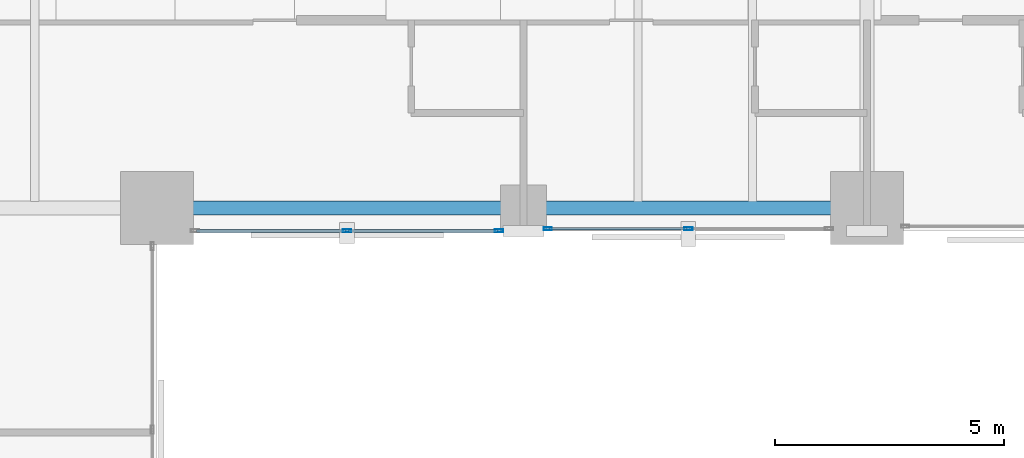
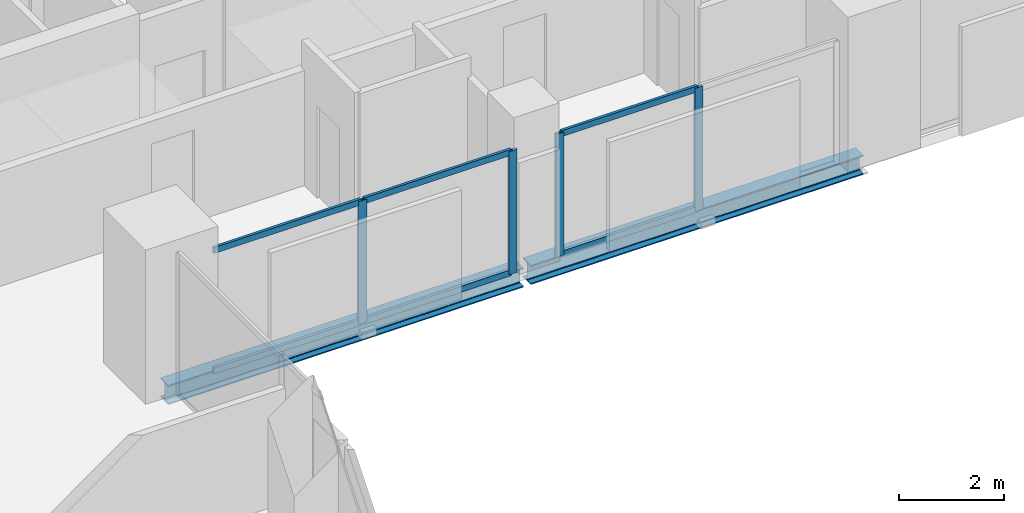
# One storey, part 13 of 31: 10 members, 2 beams, 2 elements without a shape of their own.
"""IFC4 building model written with IfcOpenShell, lengths in metres."""

from ifc_helpers import new_model, si_unit, direction, frame, origin, origin_2d, place, context, subcontext, project, spatial, hollow_rectangle, i_section, extrude, material, layer, layer_set, material_profile, profile_set, type_object, element, aggregate, save


model = new_model("IFC4")

# Units and contexts
model_context = context("Model", 3, precision=1e-05, world=origin(), true_north=direction((0.0, 1.0)))
body_context = subcontext(model_context, "Body", "Model", "MODEL_VIEW")
ifc_project = project(units=[si_unit("LENGTHUNIT", "METRE"), si_unit("AREAUNIT", "SQUARE_METRE"), si_unit("VOLUMEUNIT", "CUBIC_METRE"), si_unit("PLANEANGLEUNIT", "RADIAN"), si_unit("MASSUNIT", "GRAM", prefix="KILO")], contexts=[model_context])

# Site, building, storey
site_placement = place(None, origin())
site = spatial("IfcSite", under=ifc_project, at=site_placement, CompositionType="ELEMENT")
building_placement = place(site_placement, origin())
building = spatial("IfcBuilding", under=site, at=building_placement, Name="Catumbela Crestline Tower", CompositionType="ELEMENT")
storey_placement = place(building_placement, frame((0.0, 0.0, 25.8)))
storey = spatial("IfcBuildingStorey", under=building, at=storey_placement, Name="L05", CompositionType="ELEMENT", Elevation=25.8)

# Curtain wall, members
ifc_material_1 = material(Name="Aluminium alloy AW-6060-T66", Category="aluminium")
ifc_layer = layer(ifc_material_1, 0.18, Name="Aluminium alloy AW-6060-T66")
ifc_layer_set = layer_set([ifc_layer], Name="Aluminium alloy AW-6060-T66")
curtain_wall_type = type_object("IfcCurtainWallType", Name="CWU-Z1", PredefinedType="USERDEFINED", material=ifc_layer_set)
curtain_wall_1_placement = place(storey_placement, origin())
curtain_wall_1 = element("IfcCurtainWall", 1, at=curtain_wall_1_placement, inside=storey, type_object=curtain_wall_type, Name="L05 Unitised Curtain Wall CW-L05-E3S1", ObjectType="UNITISED", PredefinedType="USERDEFINED")
ifc_material_profile_1 = material_profile(ifc_material_1, hollow_rectangle(XDim=0.065, YDim=0.18, WallThickness=0.004, at=origin_2d()), Name="ALU 180x65x4")
ifc_profile_set_1 = profile_set([ifc_material_profile_1], Name="Aluminium alloy AW-6060-T66")
member_type_1 = type_object("IfcMemberType", Name="MUL-180X65", PredefinedType="MULLION", material=ifc_profile_set_1)
member_1_placement = place(storey_placement, frame((28.15, 24.0, 0.0), z_axis=(0.0, 0.0, 1.0), x_axis=(0.0, 1.0, 0.0)))
member_1 = element("IfcMember", 2, at=member_1_placement, type_object=member_type_1, Name="CWU-Z1 mullion 2", PredefinedType="MULLION", context=body_context, shape_type="SweptSolid", body=[
    extrude(hollow_rectangle(XDim=0.065, YDim=0.18, WallThickness=0.004, at=origin_2d()), origin(), (0.0, 0.0, 1.0), 2.87),
])
member_2_placement = place(storey_placement, frame((31.4675, 24.0, 0.0), z_axis=(0.0, 0.0, 1.0), x_axis=(0.0, 1.0, 0.0)))
member_2 = element("IfcMember", 3, at=member_2_placement, type_object=member_type_1, Name="CWU-Z1 mullion 3", PredefinedType="MULLION", context=body_context, shape_type="SweptSolid", body=[
    extrude(hollow_rectangle(XDim=0.065, YDim=0.18, WallThickness=0.004, at=origin_2d()), origin(), (0.0, 0.0, 1.0), 2.87),
])

curtain_wall_2_placement = place(storey_placement, origin())
curtain_wall_2 = element("IfcCurtainWall", 4, at=curtain_wall_2_placement, inside=storey, type_object=curtain_wall_type, Name="L05 Unitised Curtain Wall CW-L05-E3S2", ObjectType="UNITISED", PredefinedType="USERDEFINED")
member_3_placement = place(storey_placement, frame((32.5325, 24.05, 0.0), z_axis=(0.0, 0.0, 1.0), x_axis=(0.0, 1.0, 0.0)))
member_3 = element("IfcMember", 5, at=member_3_placement, type_object=member_type_1, Name="CWU-Z1 mullion 1", PredefinedType="MULLION", context=body_context, shape_type="SweptSolid", body=[
    extrude(hollow_rectangle(XDim=0.065, YDim=0.18, WallThickness=0.004, at=origin_2d()), origin(), (0.0, 0.0, 1.0), 2.87),
])
member_4_placement = place(storey_placement, frame((35.6, 24.05, 0.0), z_axis=(0.0, 0.0, 1.0), x_axis=(0.0, 1.0, 0.0)))
member_4 = element("IfcMember", 6, at=member_4_placement, type_object=member_type_1, Name="CWU-Z1 mullion 2", PredefinedType="MULLION", context=body_context, shape_type="SweptSolid", body=[
    extrude(hollow_rectangle(XDim=0.065, YDim=0.18, WallThickness=0.004, at=origin_2d()), origin(), (0.0, 0.0, 1.0), 2.87),
])

# Beams
ifc_material_2 = material(Name="Structural steel S355J2", Category="steel")
ifc_material_profile_2 = material_profile(ifc_material_2, i_section(OverallWidth=0.3, OverallDepth=0.45, WebThickness=0.014, FlangeThickness=0.026, FilletRadius=0.027, at=origin_2d()), Name="HEB 450")
ifc_profile_set_2 = profile_set([ifc_material_profile_2], Name="Structural steel S355J2")
beam_type = type_object("IfcBeamType", Name="BS-HEB450", PredefinedType="SPANDREL", material=ifc_profile_set_2)
beam_1_placement = place(storey_placement, frame((24.08, 24.5, -0.485), z_axis=(1.0, 0.0, 0.0), x_axis=(0.0, 1.0, 0.0)))
element("IfcBeam", 7, at=beam_1_placement, inside=storey, type_object=beam_type, Name="L05 Spandrel SP-L05-S05", PredefinedType="SPANDREL", context=body_context, shape_type="SweptSolid", body=[
    extrude(i_section(OverallWidth=0.3, OverallDepth=0.45, WebThickness=0.014, FlangeThickness=0.026, FilletRadius=0.027, at=origin_2d()), origin(), (0.0, 0.0, 1.0), 7.84),
])
beam_2_placement = place(storey_placement, frame((32.08, 24.5, -0.485), z_axis=(1.0, 0.0, 0.0), x_axis=(0.0, 1.0, 0.0)))
element("IfcBeam", 8, at=beam_2_placement, inside=storey, type_object=beam_type, Name="L05 Spandrel SP-L05-S06", PredefinedType="SPANDREL", context=body_context, shape_type="SweptSolid", body=[
    extrude(i_section(OverallWidth=0.3, OverallDepth=0.45, WebThickness=0.014, FlangeThickness=0.026, FilletRadius=0.027, at=origin_2d()), origin(), (0.0, 0.0, 1.0), 7.34),
])

# Member
ifc_material_profile_3 = material_profile(ifc_material_1, hollow_rectangle(XDim=0.06, YDim=0.14, WallThickness=0.004, at=origin_2d()), Name="ALU 140x60x4")
ifc_profile_set_3 = profile_set([ifc_material_profile_3], Name="Aluminium alloy AW-6060-T66")
member_type_2 = type_object("IfcMemberType", Name="TRN-140X60", PredefinedType="USERDEFINED", material=ifc_profile_set_3)
member_5_placement = place(storey_placement, frame((24.865, 24.0, 0.03), z_axis=(1.0, 0.0, 0.0), x_axis=(0.0, 1.0, 0.0)))
member_5 = element("IfcMember", 9, at=member_5_placement, type_object=member_type_2, Name="CWU-Z1 transom 1.1", ObjectType="TRANSOM", PredefinedType="USERDEFINED", context=body_context, shape_type="SweptSolid", body=[
    extrude(hollow_rectangle(XDim=0.06, YDim=0.14, WallThickness=0.004, at=origin_2d()), origin(), (0.0, 0.0, 1.0), 3.2525),
])

member_6_placement = place(storey_placement, frame((24.865, 24.0, 2.84), z_axis=(1.0, 0.0, 0.0), x_axis=(0.0, 1.0, 0.0)))
member_6 = element("IfcMember", 10, at=member_6_placement, type_object=member_type_2, Name="CWU-Z1 transom 1.2", ObjectType="TRANSOM", PredefinedType="USERDEFINED", context=body_context, shape_type="SweptSolid", body=[
    extrude(hollow_rectangle(XDim=0.06, YDim=0.14, WallThickness=0.004, at=origin_2d()), origin(), (0.0, 0.0, 1.0), 3.2525),
])

member_7_placement = place(storey_placement, frame((28.1825, 24.0, 0.03), z_axis=(1.0, 0.0, 0.0), x_axis=(0.0, 1.0, 0.0)))
member_7 = element("IfcMember", 11, at=member_7_placement, type_object=member_type_2, Name="CWU-Z1 transom 2.1", ObjectType="TRANSOM", PredefinedType="USERDEFINED", context=body_context, shape_type="SweptSolid", body=[
    extrude(hollow_rectangle(XDim=0.06, YDim=0.14, WallThickness=0.004, at=origin_2d()), origin(), (0.0, 0.0, 1.0), 3.2525),
])

member_8_placement = place(storey_placement, frame((28.1825, 24.0, 2.84), z_axis=(1.0, 0.0, 0.0), x_axis=(0.0, 1.0, 0.0)))
member_8 = element("IfcMember", 12, at=member_8_placement, type_object=member_type_2, Name="CWU-Z1 transom 2.2", ObjectType="TRANSOM", PredefinedType="USERDEFINED", context=body_context, shape_type="SweptSolid", body=[
    extrude(hollow_rectangle(XDim=0.06, YDim=0.14, WallThickness=0.004, at=origin_2d()), origin(), (0.0, 0.0, 1.0), 3.2525),
])

aggregate(curtain_wall_1, [member_1, member_2, member_5, member_6, member_7, member_8])

member_9_placement = place(storey_placement, frame((32.565, 24.05, 0.03), z_axis=(1.0, 0.0, 0.0), x_axis=(0.0, 1.0, 0.0)))
member_9 = element("IfcMember", 13, at=member_9_placement, type_object=member_type_2, Name="CWU-Z1 transom 1.1", ObjectType="TRANSOM", PredefinedType="USERDEFINED", context=body_context, shape_type="SweptSolid", body=[
    extrude(hollow_rectangle(XDim=0.06, YDim=0.14, WallThickness=0.004, at=origin_2d()), origin(), (0.0, 0.0, 1.0), 3.0025),
])

member_10_placement = place(storey_placement, frame((32.565, 24.05, 2.84), z_axis=(1.0, 0.0, 0.0), x_axis=(0.0, 1.0, 0.0)))
member_10 = element("IfcMember", 14, at=member_10_placement, type_object=member_type_2, Name="CWU-Z1 transom 1.2", ObjectType="TRANSOM", PredefinedType="USERDEFINED", context=body_context, shape_type="SweptSolid", body=[
    extrude(hollow_rectangle(XDim=0.06, YDim=0.14, WallThickness=0.004, at=origin_2d()), origin(), (0.0, 0.0, 1.0), 3.0025),
])

aggregate(curtain_wall_2, [member_3, member_4, member_9, member_10])

save(model, "model.ifc")
